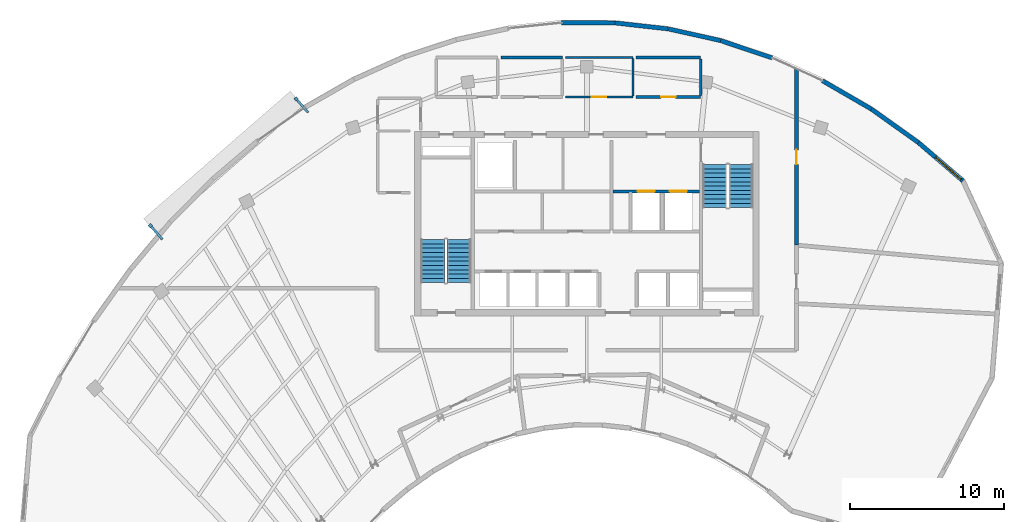
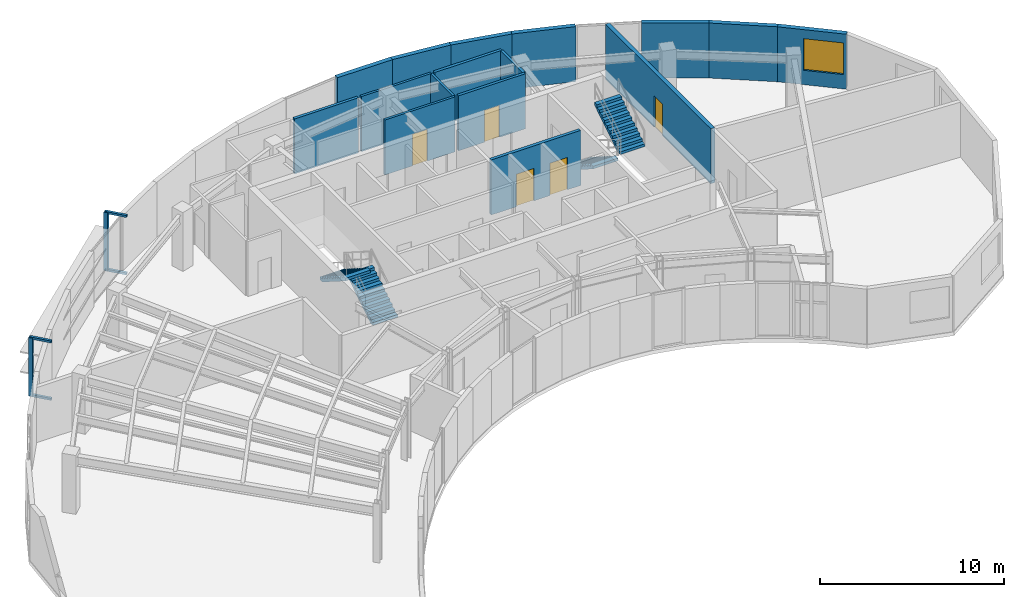
# One storey, part 11 of 12: 16 walls, 6 discrete accessories, 5 doors, 4 stair flights, 1 window, 6 openings, 2 elements without a shape of their own.
"""IFC4 building model written with IfcOpenShell, lengths in metres."""

from ifc_helpers import new_model, si_unit, direction, frame, frame_2d, origin, origin_2d, place, context, subcontext, project, spatial, polyline, rectangle, outline, extrude, source, transform, mapped, material, layer, layer_set, type_object, type_shapes, element, fill, aggregate, save


model = new_model("IFC4")

# Units and contexts
model_context = context("Model", 3, precision=1e-05, world=origin(), true_north=direction((0.0, 1.0)))
body_context = subcontext(model_context, "Body", "Model", "MODEL_VIEW")
ifc_project = project(units=[si_unit("LENGTHUNIT", "METRE"), si_unit("AREAUNIT", "SQUARE_METRE"), si_unit("VOLUMEUNIT", "CUBIC_METRE"), si_unit("PLANEANGLEUNIT", "RADIAN"), si_unit("MASSUNIT", "GRAM", prefix="KILO")], contexts=[model_context])

# Site, building, storey
site_placement = place(None, origin())
site = spatial("IfcSite", under=ifc_project, at=site_placement, CompositionType="ELEMENT")
building_placement = place(site_placement, origin())
building = spatial("IfcBuilding", under=site, at=building_placement, Name="Breltana Convention Tower", CompositionType="ELEMENT")
storey_placement = place(building_placement, frame((0.0, 0.0, 264.0)))
storey = spatial("IfcBuildingStorey", under=building, at=storey_placement, Name="L64", CompositionType="ELEMENT", Elevation=264.0)

# Walls
ifc_material_1 = material(Name="Limestone Buff Insulated Wall", Category="masonry")
ifc_layer_1 = layer(ifc_material_1, 0.280029296875, Name="Limestone Buff Insulated Wall")
ifc_layer_set_1 = layer_set([ifc_layer_1], Name="Limestone Buff Insulated Wall")
wall_type_1 = type_object("IfcWallType", Name="WL-EXT-NOSE-280", PredefinedType="SOLIDWALL", material=ifc_layer_set_1)
shared_shape_1 = source(origin(), body_context, "Body", "SweptSolid", [
    extrude(rectangle(XDim=3.4609375, YDim=0.280029296875, at=frame_2d((1.73046875, 0.0))), origin(), (0.0, 0.0, 1.0), 3.64990234375),
])
wall_1_placement = place(storey_placement, frame((46.362548828125, 79.263671875, 0.0), z_axis=(0.0, 0.0, 1.0), x_axis=(0.999995611073, -0.002962740947, 0.0)))
element("IfcWall", 1, at=wall_1_placement, inside=storey, type_object=wall_type_1, Name="L64 curved limestone nose wall E28", PredefinedType="SOLIDWALL", context=body_context, shape_type="MappedRepresentation", body=[
    mapped(shared_shape_1, transform((0.0, 0.0, 0.0), scale=1.0)),
])
shared_shape_2 = source(origin(), body_context, "Body", "SweptSolid", [
    extrude(rectangle(XDim=3.49853515625, YDim=0.280029296875, at=frame_2d((1.749267578125, 0.0))), origin(), (0.0, 0.0, 1.0), 3.64990234375),
])
wall_2_placement = place(storey_placement, frame((53.27294921875, 78.867431640625, 0.0), z_axis=(0.0, 0.0, 1.0), x_axis=(0.976149279518, -0.217100400957, 0.0)))
element("IfcWall", 2, at=wall_2_placement, inside=storey, type_object=wall_type_1, Name="L64 curved limestone nose wall E30", PredefinedType="SOLIDWALL", context=body_context, shape_type="MappedRepresentation", body=[
    mapped(shared_shape_2, transform((0.0, 0.0, 0.0), scale=1.0)),
])
shared_shape_3 = source(origin(), body_context, "Body", "SweptSolid", [
    extrude(rectangle(XDim=3.54296875, YDim=0.280029296875, at=frame_2d((1.771484375, 0.0))), origin(), (0.0, 0.0, 1.0), 3.64990234375),
])
wall_3_placement = place(storey_placement, frame((56.68798828125, 78.10791015625, 0.0), z_axis=(0.0, 0.0, 1.0), x_axis=(0.947922565312, -0.318500879389, 0.0)))
element("IfcWall", 3, at=wall_3_placement, inside=storey, type_object=wall_type_1, Name="L64 curved limestone nose wall E31", PredefinedType="SOLIDWALL", context=body_context, shape_type="MappedRepresentation", body=[
    mapped(shared_shape_3, transform((0.0, 0.0, 0.0), scale=1.0)),
])
shared_shape_4 = source(origin(), body_context, "Body", "SweptSolid", [
    extrude(rectangle(XDim=3.6748046875, YDim=0.280029296875, at=frame_2d((1.83740234375, 0.0))), origin(), (0.0, 0.0, 1.0), 3.64990234375),
])
wall_4_placement = place(storey_placement, frame((63.326416015625, 75.489501953125, 0.0), z_axis=(0.0, 0.0, 1.0), x_axis=(0.865333783584, -0.501196012542, 0.0)))
element("IfcWall", 4, at=wall_4_placement, inside=storey, type_object=wall_type_1, Name="L64 curved limestone nose wall E32", PredefinedType="SOLIDWALL", context=body_context, shape_type="MappedRepresentation", body=[
    mapped(shared_shape_4, transform((0.0, 0.0, 0.0), scale=1.0)),
])

# Wall, opening, window
shared_shape_5 = source(origin(), body_context, "Body", "SweptSolid", [
    extrude(rectangle(XDim=3.816162109375, YDim=0.280029296875, at=frame_2d((1.908203125, 0.0))), origin(), (0.0, 0.0, 1.0), 3.64990234375),
])
wall_5_placement = place(storey_placement, frame((69.5654296875, 71.466064453125, 0.0), z_axis=(0.0, 0.0, 1.0), x_axis=(0.758388845672, -0.651802392417, 0.0)))
wall_5 = element("IfcWall", 5, at=wall_5_placement, inside=storey, type_object=wall_type_1, Name="L64 curved limestone nose wall E34", PredefinedType="SOLIDWALL", context=body_context, shape_type="MappedRepresentation", body=[
    mapped(shared_shape_5, transform((0.0, 0.0, 0.0), scale=1.0)),
])
opening_1_placement = place(wall_5_placement, frame((1.455810546875, 0.0, 0.949951171875)))
opening_1 = element("IfcOpeningElement", 6, at=opening_1_placement, cuts=wall_5, Name="Opening W-03", PredefinedType="OPENING", context=body_context, shape_type="SweptSolid", body=[
    extrude(rectangle(XDim=2.199951171875, YDim=2.10009765625, at=frame_2d((1.10009765625, 1.050048828125))), frame((0.0, 0.14990234375, 0.0), z_axis=(0.0, -1.0, 0.0), x_axis=(1.0, 0.0, 0.0)), (0.0, 0.0, 1.0), 0.300048828125),
])
ifc_material_2 = material(Name="Glass Low-E Insulated Window", Category="glass")
window_type = type_object("IfcWindowType", Name="WN-NOSE-2200X2100", PartitioningType="TRIPLE_PANEL_VERTICAL", PredefinedType="WINDOW", material=ifc_material_2)
shared_shape_6 = source(origin(), body_context, "Body", "SweptSolid", [
    extrude(rectangle(XDim=2.199951171875, YDim=2.10009765625, at=frame_2d((1.10009765625, 1.050048828125))), frame((0.0, 0.030029296875, 0.0), z_axis=(0.0, -1.0, 0.0), x_axis=(1.0, 0.0, 0.0)), (0.0, 0.0, 1.0), 0.06005859375),
])
type_shapes(window_type, [shared_shape_6])
window_placement = place(opening_1_placement, origin())
window = element("IfcWindow", 7, at=window_placement, inside=storey, type_object=window_type, Name="L64 nose window E34", OverallHeight=2.10009765625, OverallWidth=2.199951171875, PartitioningType="TRIPLE_PANEL_VERTICAL", PredefinedType="WINDOW", context=body_context, shape_type="MappedRepresentation", body=[
    mapped(shared_shape_6, transform((0.0, 0.0, 0.0), scale=1.0)),
])
fill(opening_1, window)

# Walls
shared_shape_7 = source(origin(), body_context, "Body", "SweptSolid", [
    extrude(rectangle(XDim=3.470947265625, YDim=0.280029296875, at=frame_2d((1.7353515625, 0.0))), origin(), (0.0, 0.0, 1.0), 3.64990234375),
])
wall_6_placement = place(storey_placement, frame((49.823486328125, 79.25341796875, 0.0), z_axis=(0.0, 0.0, 1.0), x_axis=(0.993797657488, -0.111203489029, 0.0)))
element("IfcWall", 8, at=wall_6_placement, inside=storey, type_object=wall_type_1, Name="L64 curved limestone nose wall E29", PredefinedType="SOLIDWALL", context=body_context, shape_type="MappedRepresentation", body=[
    mapped(shared_shape_7, transform((0.0, 0.0, 0.0), scale=1.0)),
])
shared_shape_8 = source(origin(), body_context, "Body", "SweptSolid", [
    extrude(rectangle(XDim=3.75732421875, YDim=0.280029296875, at=frame_2d((1.878662109375, 0.0))), origin(), (0.0, 0.0, 1.0), 3.64990234375),
])
wall_7_placement = place(storey_placement, frame((66.50634765625, 73.647705078125, 0.0), z_axis=(0.0, 0.0, 1.0), x_axis=(0.814163502266, -0.580635678871, 0.0)))
element("IfcWall", 9, at=wall_7_placement, inside=storey, type_object=wall_type_1, Name="L64 curved limestone nose wall E33", PredefinedType="SOLIDWALL", context=body_context, shape_type="MappedRepresentation", body=[
    mapped(shared_shape_8, transform((0.0, 0.0, 0.0), scale=1.0)),
])

# Wall, openings, doors
ifc_material_3 = material(Name="Autoclaved Aerated Concrete Block", Category="concrete")
ifc_layer_2 = layer(ifc_material_3, 0.199951171875, Name="Autoclaved Aerated Concrete Block")
ifc_layer_set_2 = layer_set([ifc_layer_2], Name="Autoclaved Aerated Concrete Block")
wall_type_2 = type_object("IfcWallType", Name="WL-SHAFT-200", PredefinedType="SOLIDWALL", material=ifc_layer_set_2)
shared_shape_9 = source(origin(), body_context, "Body", "SweptSolid", [
    extrude(rectangle(XDim=5.6201171875, YDim=0.199951171875, at=frame_2d((2.81005859375, 0.0))), origin(), (0.0, 0.0, 1.0), 3.64990234375),
])
wall_8_placement = place(storey_placement, frame((49.699951171875, 68.300048828125, 0.0), z_axis=(0.0, 0.0, 1.0), x_axis=(1.0, 0.0, 0.0)))
wall_8 = element("IfcWall", 10, at=wall_8_placement, inside=storey, type_object=wall_type_2, Name="L64 interior partition W-L64-FFL-S", PredefinedType="SOLIDWALL", context=body_context, shape_type="MappedRepresentation", body=[
    mapped(shared_shape_9, transform((0.0, 0.0, 0.0), scale=1.0)),
])
opening_2_placement = place(wall_8_placement, frame((1.60009765625, 0.0, 0.0)))
opening_2 = element("IfcOpeningElement", 11, at=opening_2_placement, cuts=wall_8, Name="Opening LD-03", PredefinedType="OPENING", context=body_context, shape_type="SweptSolid", body=[
    extrude(rectangle(XDim=1.10009765625, YDim=2.14990234375, at=frame_2d((0.550048828125, 1.074951171875))), frame((0.0, 0.10986328125, 0.0), z_axis=(0.0, -1.0, 0.0), x_axis=(1.0, 0.0, 0.0)), (0.0, 0.0, 1.0), 0.219970703125),
])
opening_3_placement = place(wall_8_placement, frame((3.699951171875, 0.0, 0.0)))
opening_3 = element("IfcOpeningElement", 12, at=opening_3_placement, cuts=wall_8, Name="Opening LD-03", PredefinedType="OPENING", context=body_context, shape_type="SweptSolid", body=[
    extrude(rectangle(XDim=1.10009765625, YDim=2.14990234375, at=frame_2d((0.550048828125, 1.074951171875))), frame((0.0, 0.10986328125, 0.0), z_axis=(0.0, -1.0, 0.0), x_axis=(1.0, 0.0, 0.0)), (0.0, 0.0, 1.0), 0.219970703125),
])
ifc_material_4 = material(Name="Stainless Steel Brushed", Category="steel")
door_type_1 = type_object("IfcDoorType", Name="DR-LD-FF-1100", OperationType="DOUBLE_DOOR_SLIDING", PredefinedType="DOOR", material=ifc_material_4)
shared_shape_10 = source(origin(), body_context, "Body", "SweptSolid", [
    extrude(rectangle(XDim=1.10009765625, YDim=2.14990234375, at=frame_2d((0.550048828125, 1.074951171875))), frame((0.0, 0.02490234375, 0.0), z_axis=(0.0, -1.0, 0.0), x_axis=(1.0, 0.0, 0.0)), (0.0, 0.0, 1.0), 0.050048828125),
])
type_shapes(door_type_1, [shared_shape_10])
door_1_placement = place(opening_2_placement, origin())
door_1 = element("IfcDoor", 13, at=door_1_placement, inside=storey, type_object=door_type_1, Name="L64 Lift Landing Door D-L64-LD-FL1", OperationType="DOUBLE_DOOR_SLIDING", OverallHeight=2.14990234375, OverallWidth=1.10009765625, PredefinedType="DOOR", context=body_context, shape_type="MappedRepresentation", body=[
    mapped(shared_shape_10, transform((0.0, 0.0, 0.0), scale=1.0)),
])
fill(opening_2, door_1)
door_2_placement = place(opening_3_placement, origin())
door_2 = element("IfcDoor", 14, at=door_2_placement, inside=storey, type_object=door_type_1, Name="L64 Lift Landing Door D-L64-LD-FL2", OperationType="DOUBLE_DOOR_SLIDING", OverallHeight=2.14990234375, OverallWidth=1.10009765625, PredefinedType="DOOR", context=body_context, shape_type="MappedRepresentation", body=[
    mapped(shared_shape_10, transform((0.0, 0.0, 0.0), scale=1.0)),
])
fill(opening_3, door_2)

# Walls
ifc_material_5 = material(Name="Moisture-Resistant Gypsum Chase Wall")
ifc_layer_3 = layer(ifc_material_5, 0.179931640625, Name="Moisture-Resistant Gypsum Chase Wall")
ifc_layer_set_3 = layer_set([ifc_layer_3], Name="Moisture-Resistant Gypsum Chase Wall")
wall_type_3 = type_object("IfcWallType", Name="WL-PLUMB-180", PredefinedType="PLUMBINGWALL", material=ifc_layer_set_3)
shared_shape_11 = source(origin(), body_context, "Body", "SweptSolid", [
    extrude(rectangle(XDim=4.0, YDim=0.179931640625, at=frame_2d((2.0, 0.0))), origin(), (0.0, 0.0, 1.0), 3.64990234375),
])
wall_9_placement = place(storey_placement, frame((42.39990234375, 77.0, 0.0), z_axis=(0.0, 0.0, 1.0), x_axis=(1.0, 0.0, 0.0)))
element("IfcWall", 15, at=wall_9_placement, inside=storey, type_object=wall_type_3, Name="L64 interior partition W-L64-WCF-N", PredefinedType="PLUMBINGWALL", context=body_context, shape_type="MappedRepresentation", body=[
    mapped(shared_shape_11, transform((0.0, 0.0, 0.0), scale=1.0)),
])
ifc_material_6 = material(Name="Cement Board Wet-Area Partition")
ifc_layer_4 = layer(ifc_material_6, 0.175048828125, Name="Cement Board Wet-Area Partition")
ifc_layer_set_4 = layer_set([ifc_layer_4], Name="Cement Board Wet-Area Partition")
wall_type_4 = type_object("IfcWallType", Name="WL-WET-175", PredefinedType="PARTITIONING", material=ifc_layer_set_4)
shared_shape_12 = source(origin(), body_context, "Body", "SweptSolid", [
    extrude(rectangle(XDim=2.402587890625, YDim=0.175048828125, at=frame_2d((1.201171875, 0.0))), origin(), (0.0, 0.0, 1.0), 3.64990234375),
])
wall_10_placement = place(storey_placement, frame((55.39990234375, 74.518798828125, 0.0), z_axis=(0.0, 0.0, 1.0), x_axis=(0.0, 1.0, 0.0)))
element("IfcWall", 16, at=wall_10_placement, inside=storey, type_object=wall_type_4, Name="L64 interior partition W-L64-WCA-E", PredefinedType="PARTITIONING", context=body_context, shape_type="MappedRepresentation", body=[
    mapped(shared_shape_12, transform((0.0, 0.0, 0.0), scale=1.0)),
])

# Wall, opening, door
ifc_material_7 = material(Name="Gypsum Acoustic Drywall Partition")
ifc_layer_5 = layer(ifc_material_7, 0.14990234375, Name="Gypsum Acoustic Drywall Partition")
ifc_layer_set_5 = layer_set([ifc_layer_5], Name="Gypsum Acoustic Drywall Partition")
wall_type_5 = type_object("IfcWallType", Name="WL-PART-150", PredefinedType="PARTITIONING", material=ifc_layer_set_5)
shared_shape_13 = source(origin(), body_context, "Body", "SweptSolid", [
    extrude(rectangle(XDim=4.39990234375, YDim=0.14990234375, at=frame_2d((2.199951171875, 0.0))), origin(), (0.0, 0.0, 1.0), 3.64990234375),
])
wall_11_placement = place(storey_placement, frame((46.60009765625, 74.43994140625, 0.0), z_axis=(0.0, 0.0, 1.0), x_axis=(1.0, 0.0, 0.0)))
wall_11 = element("IfcWall", 17, at=wall_11_placement, inside=storey, type_object=wall_type_5, Name="L64 interior partition W-L64-PNT-S", PredefinedType="PARTITIONING", context=body_context, shape_type="MappedRepresentation", body=[
    mapped(shared_shape_13, transform((0.0, 0.0, 0.0), scale=1.0)),
])
opening_4_placement = place(wall_11_placement, frame((1.72509765625, 0.0, 0.0)))
opening_4 = element("IfcOpeningElement", 18, at=opening_4_placement, cuts=wall_11, Name="Opening D-17", PredefinedType="OPENING", context=body_context, shape_type="SweptSolid", body=[
    extrude(rectangle(XDim=0.949951171875, YDim=2.10009765625, at=frame_2d((0.47509765625, 1.050048828125))), frame((0.0, 0.0849609375, 0.0), z_axis=(0.0, -1.0, 0.0), x_axis=(1.0, 0.0, 0.0)), (0.0, 0.0, 1.0), 0.169921875),
])
ifc_material_8 = material(Name="Timber Oak Veneer Door", Category="wood")
door_type_2 = type_object("IfcDoorType", Name="DR-INT-950", OperationType="NOTDEFINED", PredefinedType="DOOR", material=ifc_material_8)
shared_shape_14 = source(origin(), body_context, "Body", "SweptSolid", [
    extrude(rectangle(XDim=0.949951171875, YDim=2.10009765625, at=frame_2d((0.47509765625, 1.050048828125))), frame((0.0, 0.02490234375, 0.0), z_axis=(0.0, -1.0, 0.0), x_axis=(1.0, 0.0, 0.0)), (0.0, 0.0, 1.0), 0.050048828125),
])
type_shapes(door_type_2, [shared_shape_14])
door_3_placement = place(opening_4_placement, origin())
door_3 = element("IfcDoor", 19, at=door_3_placement, inside=storey, type_object=door_type_2, Name="L64 interior door D-L64-PNT", OperationType="SINGLE_SWING_RIGHT", OverallHeight=2.10009765625, OverallWidth=0.949951171875, PredefinedType="DOOR", context=body_context, shape_type="MappedRepresentation", body=[
    mapped(shared_shape_14, transform((0.0, 0.0, 0.0), scale=1.0)),
])
fill(opening_4, door_3)

# Walls
wall_12_placement = place(storey_placement, frame((46.60009765625, 77.0, 0.0), z_axis=(0.0, 0.0, 1.0), x_axis=(1.0, 0.0, 0.0)))
element("IfcWall", 20, at=wall_12_placement, inside=storey, type_object=wall_type_5, Name="L64 interior partition W-L64-PNT-N", PredefinedType="PARTITIONING", context=body_context, shape_type="MappedRepresentation", body=[
    mapped(shared_shape_13, transform((0.0, 0.0, 0.0), scale=1.0)),
])
shared_shape_15 = source(origin(), body_context, "Body", "SweptSolid", [
    extrude(rectangle(XDim=2.425048828125, YDim=0.14990234375, at=frame_2d((1.21240234375, 0.0))), origin(), (0.0, 0.0, 1.0), 3.64990234375),
])
wall_13_placement = place(storey_placement, frame((51.0, 74.507568359375, 0.0), z_axis=(0.0, 0.0, 1.0), x_axis=(0.0, 1.0, 0.0)))
element("IfcWall", 21, at=wall_13_placement, inside=storey, type_object=wall_type_5, Name="L64 interior partition W-L64-PNT-E", PredefinedType="PARTITIONING", context=body_context, shape_type="MappedRepresentation", body=[
    mapped(shared_shape_15, transform((0.0, 0.0, 0.0), scale=1.0)),
])

# Wall, opening, door
shared_shape_16 = source(origin(), body_context, "Body", "SweptSolid", [
    extrude(rectangle(XDim=4.199951171875, YDim=0.175048828125, at=frame_2d((2.10009765625, 0.0))), origin(), (0.0, 0.0, 1.0), 3.64990234375),
])
wall_14_placement = place(storey_placement, frame((51.199951171875, 74.43994140625, 0.0), z_axis=(0.0, 0.0, 1.0), x_axis=(1.0, 0.0, 0.0)))
wall_14 = element("IfcWall", 22, at=wall_14_placement, inside=storey, type_object=wall_type_4, Name="L64 interior partition W-L64-WCA-S", PredefinedType="PARTITIONING", context=body_context, shape_type="MappedRepresentation", body=[
    mapped(shared_shape_16, transform((0.0, 0.0, 0.0), scale=1.0)),
])
opening_5_placement = place(wall_14_placement, frame((1.625, 0.0, 0.0)))
opening_5 = element("IfcOpeningElement", 23, at=opening_5_placement, cuts=wall_14, Name="Opening D-16", PredefinedType="OPENING", context=body_context, shape_type="SweptSolid", body=[
    extrude(rectangle(XDim=0.949951171875, YDim=2.1201171875, at=frame_2d((0.47509765625, 1.06005859375))), frame((0.0, 0.09765625, 0.0), z_axis=(0.0, -1.0, 0.0), x_axis=(1.0, 0.0, 0.0)), (0.0, 0.0, 1.0), 0.195068359375),
])
ifc_material_9 = material(Name="Timber Laminate Accessible Door", Category="wood")
door_type_3 = type_object("IfcDoorType", Name="DR-ACC-950", OperationType="NOTDEFINED", PredefinedType="DOOR", material=ifc_material_9)
shared_shape_17 = source(origin(), body_context, "Body", "SweptSolid", [
    extrude(rectangle(XDim=0.949951171875, YDim=2.1201171875, at=frame_2d((0.47509765625, 1.06005859375))), frame((0.0, 0.02490234375, 0.0), z_axis=(0.0, -1.0, 0.0), x_axis=(1.0, 0.0, 0.0)), (0.0, 0.0, 1.0), 0.050048828125),
])
type_shapes(door_type_3, [shared_shape_17])
door_4_placement = place(opening_5_placement, origin())
door_4 = element("IfcDoor", 24, at=door_4_placement, inside=storey, type_object=door_type_3, Name="L64 interior door D-L64-WCA", OperationType="SINGLE_SWING_LEFT", OverallHeight=2.1201171875, OverallWidth=0.949951171875, PredefinedType="DOOR", context=body_context, shape_type="MappedRepresentation", body=[
    mapped(shared_shape_17, transform((0.0, 0.0, 0.0), scale=1.0)),
])
fill(opening_5, door_4)

# Wall
shared_shape_18 = source(origin(), body_context, "Body", "SweptSolid", [
    extrude(rectangle(XDim=4.199951171875, YDim=0.179931640625, at=frame_2d((2.10009765625, 0.0))), origin(), (0.0, 0.0, 1.0), 3.64990234375),
])
wall_15_placement = place(storey_placement, frame((51.199951171875, 77.0, 0.0), z_axis=(0.0, 0.0, 1.0), x_axis=(1.0, 0.0, 0.0)))
element("IfcWall", 25, at=wall_15_placement, inside=storey, type_object=wall_type_3, Name="L64 interior partition W-L64-WCA-N", PredefinedType="PLUMBINGWALL", context=body_context, shape_type="MappedRepresentation", body=[
    mapped(shared_shape_18, transform((0.0, 0.0, 0.0), scale=1.0)),
])

# Wall, opening, door
ifc_material_10 = material(Name="Gypsum Acoustic Double Stud Wall")
ifc_layer_6 = layer(ifc_material_10, 0.25, Name="Gypsum Acoustic Double Stud Wall")
ifc_layer_set_6 = layer_set([ifc_layer_6], Name="Gypsum Acoustic Double Stud Wall")
wall_type_6 = type_object("IfcWallType", Name="WL-ACOUSTIC-250", PredefinedType="PARTITIONING", material=ifc_layer_set_6)
shared_shape_19 = source(origin(), body_context, "Body", "SweptSolid", [
    extrude(rectangle(XDim=11.444580078125, YDim=0.25, at=frame_2d((5.72216796875, 0.0))), origin(), (0.0, 0.0, 1.0), 3.64990234375),
])
wall_16_placement = place(storey_placement, frame((61.639892578125, 64.800048828125, 0.0), z_axis=(0.0, 0.0, 1.0), x_axis=(0.0, 1.0, 0.0)))
wall_16 = element("IfcWall", 26, at=wall_16_placement, inside=storey, type_object=wall_type_6, Name="L64 interior partition W-L64-EXE3-ENT", PredefinedType="PARTITIONING", context=body_context, shape_type="MappedRepresentation", body=[
    mapped(shared_shape_19, transform((0.0, 0.0, 0.0), scale=1.0)),
])
opening_6_placement = place(wall_16_placement, frame((5.247314453125, 0.0, 0.0)))
opening_6 = element("IfcOpeningElement", 27, at=opening_6_placement, cuts=wall_16, Name="Opening D-17", PredefinedType="OPENING", context=body_context, shape_type="SweptSolid", body=[
    extrude(rectangle(XDim=0.949951171875, YDim=2.10009765625, at=frame_2d((0.47509765625, 1.050048828125))), frame((0.0, 0.135009765625, 0.0), z_axis=(0.0, -1.0, 0.0), x_axis=(1.0, 0.0, 0.0)), (0.0, 0.0, 1.0), 0.27001953125),
])
door_5_placement = place(opening_6_placement, origin())
door_5 = element("IfcDoor", 28, at=door_5_placement, inside=storey, type_object=door_type_2, Name="L64 interior door D-L64-EXE3", OperationType="SINGLE_SWING_LEFT", OverallHeight=2.10009765625, OverallWidth=0.949951171875, PredefinedType="DOOR", context=body_context, shape_type="MappedRepresentation", body=[
    mapped(shared_shape_14, transform((0.0, 0.0, 0.0), scale=1.0)),
])
fill(opening_6, door_5)

# Stair, stair flights
ifc_material_11 = material(Name="Concrete C40/50", Category="concrete")
stair_type = type_object("IfcStairType", Name="ST-DOG-1560-R177", PredefinedType="HALF_TURN_STAIR", material=ifc_material_11)
stair_1_placement = place(storey_placement, origin())
stair_1 = element("IfcStair", 29, at=stair_1_placement, inside=storey, type_object=stair_type, Name="L64 Protected Core Exit Stair ST-1", PredefinedType="HALF_TURN_STAIR")
stair_flight_type = type_object("IfcStairFlightType", Name="STF-DOG-1560-N11-R177", PredefinedType="STRAIGHT", material=ifc_material_11)
stair_flight_1_placement = place(storey_placement, frame((39.68994140625, 62.360107421875, 0.0), z_axis=(0.0, 0.0, 1.0), x_axis=(0.0, 1.0, 0.0)))
stair_flight_1 = element("IfcStairFlight", 30, at=stair_flight_1_placement, type_object=stair_flight_type, Name="ST-1 flight 1", NumberOfRisers=11, NumberOfTreads=10, PredefinedType="STRAIGHT", RiserHeight=0.177272727, TreadLength=0.28, context=body_context, shape_type="SweptSolid", body=[
    extrude(outline(polyline([(0.0, 0.0), (0.0, 0.17724609375), (0.280029296875, 0.17724609375), (0.280029296875, 0.3544921875), (0.56005859375, 0.3544921875), (0.56005859375, 0.53173828125), (0.840087890625, 0.53173828125), (0.840087890625, 0.708984375), (1.1201171875, 0.708984375), (1.1201171875, 0.886474609375), (1.39990234375, 0.886474609375), (1.39990234375, 1.063720703125), (1.679931640625, 1.063720703125), (1.679931640625, 1.240966796875), (1.9599609375, 1.240966796875), (1.9599609375, 1.418212890625), (2.239990234375, 1.418212890625), (2.239990234375, 1.595458984375), (2.52001953125, 1.595458984375), (2.52001953125, 1.772705078125), (2.800048828125, 1.772705078125), (2.800048828125, 1.949951171875), (2.800048828125, 1.59521484375), (0.2802734375, 0.0), (0.0, 0.0)])), frame((0.0, 0.780029296875, 0.0), z_axis=(0.0, -1.0, 0.0), x_axis=(1.0, 0.0, 0.0)), (0.0, 0.0, 1.0), 1.56005859375),
])
stair_flight_2_placement = place(storey_placement, frame((37.97998046875, 65.159912109375, 1.949951171875), z_axis=(0.0, 0.0, 1.0), x_axis=(0.0, -1.0, 0.0)))
stair_flight_2 = element("IfcStairFlight", 31, at=stair_flight_2_placement, type_object=stair_flight_type, Name="ST-1 flight 2", NumberOfRisers=11, NumberOfTreads=10, PredefinedType="STRAIGHT", RiserHeight=0.177272727, TreadLength=0.28, context=body_context, shape_type="SweptSolid", body=[
    extrude(outline(polyline([(0.0, 0.0), (0.0, 0.17724609375), (0.280029296875, 0.17724609375), (0.280029296875, 0.3544921875), (0.56005859375, 0.3544921875), (0.56005859375, 0.53173828125), (0.840087890625, 0.53173828125), (0.840087890625, 0.708984375), (1.1201171875, 0.708984375), (1.1201171875, 0.886474609375), (1.39990234375, 0.886474609375), (1.39990234375, 1.063720703125), (1.679931640625, 1.063720703125), (1.679931640625, 1.240966796875), (1.9599609375, 1.240966796875), (1.9599609375, 1.418212890625), (2.239990234375, 1.418212890625), (2.239990234375, 1.595458984375), (2.52001953125, 1.595458984375), (2.52001953125, 1.772705078125), (2.800048828125, 1.772705078125), (2.800048828125, 1.949951171875), (2.800048828125, 1.59521484375), (0.2802734375, 0.0), (0.0, 0.0)])), frame((0.0, 0.780029296875, 0.0), z_axis=(0.0, -1.0, 0.0), x_axis=(1.0, 0.0, 0.0)), (0.0, 0.0, 1.0), 1.56005859375),
])
aggregate(stair_1, [stair_flight_1, stair_flight_2])

stair_2_placement = place(storey_placement, origin())
stair_2 = element("IfcStair", 32, at=stair_2_placement, inside=storey, type_object=stair_type, Name="L64 Protected Core Exit Stair ST-2", PredefinedType="HALF_TURN_STAIR")
stair_flight_3_placement = place(storey_placement, frame((56.31005859375, 70.0400390625, 0.0), z_axis=(0.0, 0.0, 1.0), x_axis=(0.0, -1.0, 0.0)))
stair_flight_3 = element("IfcStairFlight", 33, at=stair_flight_3_placement, type_object=stair_flight_type, Name="ST-2 flight 1", NumberOfRisers=11, NumberOfTreads=10, PredefinedType="STRAIGHT", RiserHeight=0.177272727, TreadLength=0.28, context=body_context, shape_type="SweptSolid", body=[
    extrude(outline(polyline([(0.0, 0.0), (0.0, 0.17724609375), (0.280029296875, 0.17724609375), (0.280029296875, 0.3544921875), (0.56005859375, 0.3544921875), (0.56005859375, 0.53173828125), (0.840087890625, 0.53173828125), (0.840087890625, 0.708984375), (1.1201171875, 0.708984375), (1.1201171875, 0.886474609375), (1.39990234375, 0.886474609375), (1.39990234375, 1.063720703125), (1.679931640625, 1.063720703125), (1.679931640625, 1.240966796875), (1.9599609375, 1.240966796875), (1.9599609375, 1.418212890625), (2.239990234375, 1.418212890625), (2.239990234375, 1.595458984375), (2.52001953125, 1.595458984375), (2.52001953125, 1.772705078125), (2.800048828125, 1.772705078125), (2.800048828125, 1.949951171875), (2.800048828125, 1.59521484375), (0.2802734375, 0.0), (0.0, 0.0)])), frame((0.0, 0.780029296875, 0.0), z_axis=(0.0, -1.0, 0.0), x_axis=(1.0, 0.0, 0.0)), (0.0, 0.0, 1.0), 1.56005859375),
])
stair_flight_4_placement = place(storey_placement, frame((58.02001953125, 67.239990234375, 1.949951171875), z_axis=(0.0, 0.0, 1.0), x_axis=(0.0, 1.0, 0.0)))
stair_flight_4 = element("IfcStairFlight", 34, at=stair_flight_4_placement, type_object=stair_flight_type, Name="ST-2 flight 2", NumberOfRisers=11, NumberOfTreads=10, PredefinedType="STRAIGHT", RiserHeight=0.177272727, TreadLength=0.28, context=body_context, shape_type="SweptSolid", body=[
    extrude(outline(polyline([(0.0, 0.0), (0.0, 0.17724609375), (0.280029296875, 0.17724609375), (0.280029296875, 0.3544921875), (0.56005859375, 0.3544921875), (0.56005859375, 0.53173828125), (0.840087890625, 0.53173828125), (0.840087890625, 0.708984375), (1.1201171875, 0.708984375), (1.1201171875, 0.886474609375), (1.39990234375, 0.886474609375), (1.39990234375, 1.063720703125), (1.679931640625, 1.063720703125), (1.679931640625, 1.240966796875), (1.9599609375, 1.240966796875), (1.9599609375, 1.418212890625), (2.239990234375, 1.418212890625), (2.239990234375, 1.595458984375), (2.52001953125, 1.595458984375), (2.52001953125, 1.772705078125), (2.800048828125, 1.772705078125), (2.800048828125, 1.949951171875), (2.800048828125, 1.59521484375), (0.2802734375, 0.0), (0.0, 0.0)])), frame((0.0, 0.780029296875, 0.0), z_axis=(0.0, -1.0, 0.0), x_axis=(1.0, 0.0, 0.0)), (0.0, 0.0, 1.0), 1.56005859375),
])
aggregate(stair_2, [stair_flight_3, stair_flight_4])

# Discrete accessories
ifc_material_12 = material(Name="Steel S355", Category="steel")
discrete_accessory_type_1 = type_object("IfcDiscreteAccessoryType", Name="ACC-DSF-BRACKET-150", PredefinedType="BRACKET", material=ifc_material_12)
shared_shape_20 = source(origin(), body_context, "Body", "SweptSolid", [
    extrude(rectangle(XDim=1.239990234375, YDim=0.14990234375, at=origin_2d()), origin(), (0.0, 0.0, 1.0), 0.139892578125),
])
type_shapes(discrete_accessory_type_1, [shared_shape_20])
for number, where, z_axis, x_axis, name in (
    (35, (19.97998046875, 65.64794921875, -0.16015625), (0.0, 0.0, 1.0), (-0.656454295279, 0.754365798675, 0.0), "L64 double-skin slab stand-off bracket 1.1B"),
    (36, (19.97998046875, 65.64794921875, 3.64990234375), (0.0, 0.0, 1.0), (-0.656454295279, 0.754365798675, 0.0), "L64 double-skin slab stand-off bracket 1.1T"),
    (37, (29.459716796875, 73.897216796875, -0.16015625), (0.0, 0.0, 1.0), (-0.656454295279, 0.754365798675, 0.0), "L64 double-skin slab stand-off bracket 1.2B"),
    (38, (29.459716796875, 73.897216796875, 3.64990234375), (0.0, 0.0, 1.0), (-0.656454295279, 0.754365798675, 0.0), "L64 double-skin slab stand-off bracket 1.2T"),
):
    element("IfcDiscreteAccessory", number, at=place(storey_placement, frame(where, z_axis=z_axis, x_axis=x_axis)), inside=storey, type_object=discrete_accessory_type_1, Name=name, PredefinedType="BRACKET", context=body_context, shape_type="MappedRepresentation", body=[
        mapped(shared_shape_20, transform((0.0, 0.0, 0.0), scale=1.0)),
    ])
discrete_accessory_type_2 = type_object("IfcDiscreteAccessoryType", Name="ACC-DSF-CARRIER-150", PredefinedType="BRACKET", material=ifc_material_12)
shared_shape_21 = source(origin(), body_context, "Body", "SweptSolid", [
    extrude(rectangle(XDim=0.219970703125, YDim=0.219970703125, at=origin_2d()), origin(), (0.0, 0.0, 1.0), 3.8701171875),
])
for number, where, z_axis, x_axis, name in (
    (39, (19.6123046875, 66.0703125, -0.1201171875), (0.0, 0.0, 1.0), (-0.656454295279, 0.754365798675, 0.0), "L64 double-skin outer vertical carrier 1.1"),
    (40, (29.092041015625, 74.319580078125, -0.1201171875), (0.0, 0.0, 1.0), (-0.656454295279, 0.754365798675, 0.0), "L64 double-skin outer vertical carrier 1.2"),
):
    element("IfcDiscreteAccessory", number, at=place(storey_placement, frame(where, z_axis=z_axis, x_axis=x_axis)), inside=storey, type_object=discrete_accessory_type_2, Name=name, PredefinedType="BRACKET", context=body_context, shape_type="MappedRepresentation", body=[
        mapped(shared_shape_21, transform((0.0, 0.0, 0.0), scale=1.0)),
    ])

save(model, "model.ifc")
